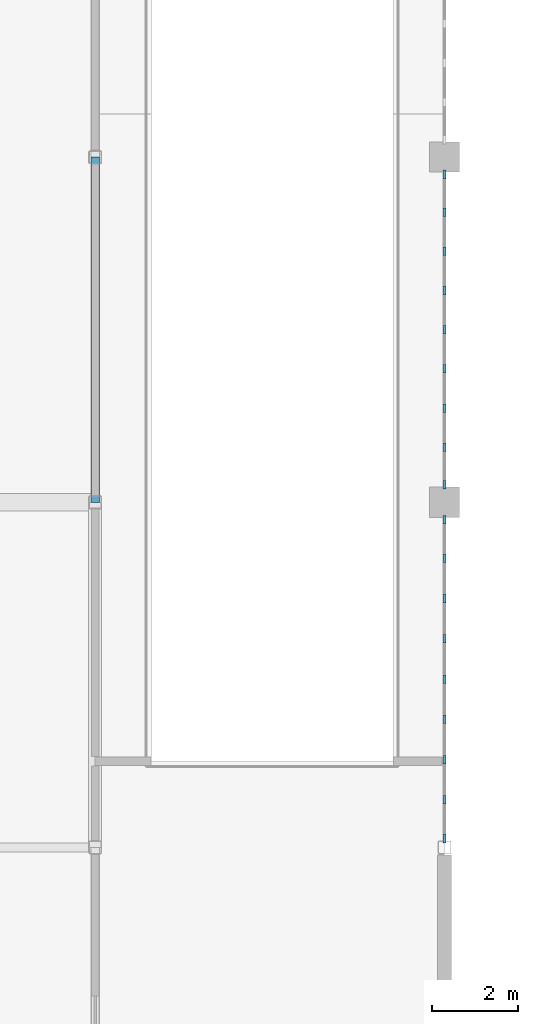
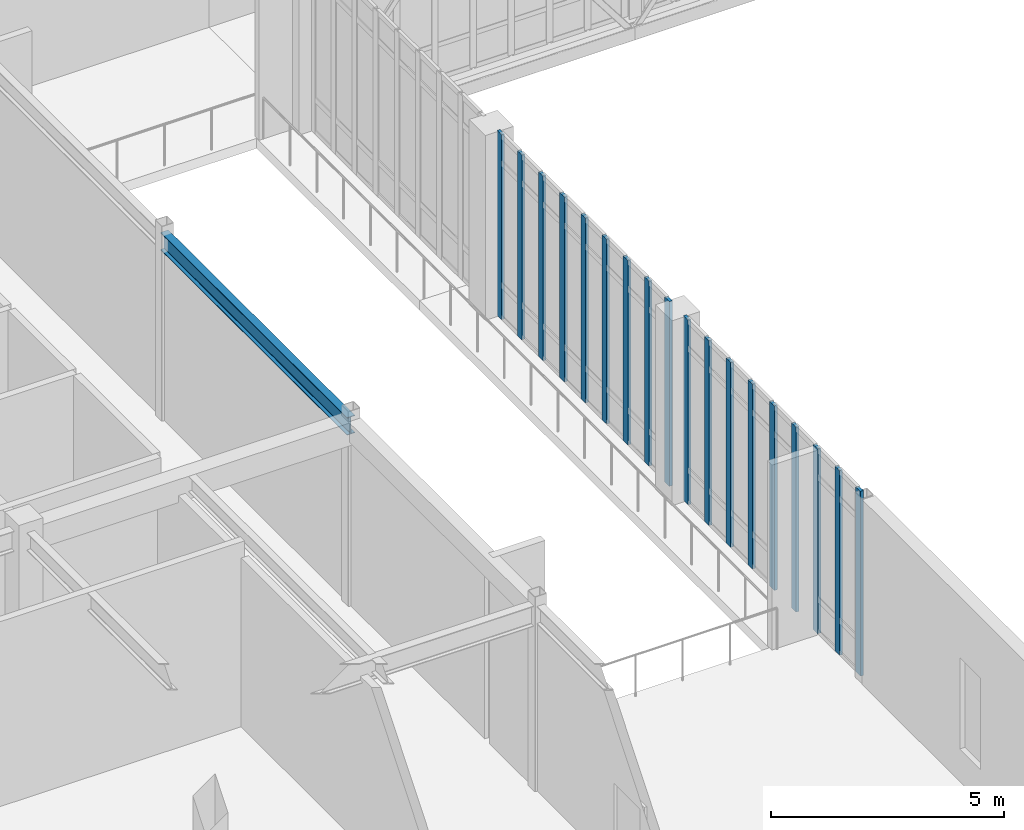
# One storey, part 23 of 107: 18 members, 1 beam, 2 elements without a shape of their own.
"""IFC4 building model written with IfcOpenShell, lengths in metres."""

import ifcopenshell
import ifcopenshell.guid

model = None  # the IFC model being written
_history = None  # IfcOwnerHistory: only IFC2X3 demands one
_inside = {}  # id of a spatial element -> (the spatial element, [elements in it])
_under = {}  # id of a project, library or spatial element -> (it, [spatial elements below it])
_declared = {}  # id of a project -> (the project, [libraries it declares])
_typed = {}  # id of a type object -> (the type object, [elements of that type])
_made_of = {}  # id of a material, layer set ... -> (it, [elements and type objects made of it])


def new_model(schema):
    """Start an empty IFC model of exactly this schema.

    Asked for "IFC4X3", IfcOpenShell would pick the latest addendum, in which some entities
    have other attributes; the version numbers below select the first issue.
    IFC2X3 requires an IfcOwnerHistory on every rooted entity: one is made here for all.
    """
    global model, _history
    if schema == "IFC4X3":
        model = ifcopenshell.file(schema_version=(4, 3, 0, 0))
    else:
        model = ifcopenshell.file(schema=schema)
    _inside.clear()
    _under.clear()
    _declared.clear()
    _typed.clear()
    _made_of.clear()
    _history = None
    if model.schema == "IFC2X3":
        org = make("IfcOrganization", Name="unknown")
        user = make(
            "IfcPersonAndOrganization",
            ThePerson=make("IfcPerson", FamilyName="unknown"),
            TheOrganization=org,
        )
        app = make(
            "IfcApplication",
            ApplicationDeveloper=org,
            Version="unknown",
            ApplicationFullName="unknown",
            ApplicationIdentifier="unknown",
        )
        _history = make(
            "IfcOwnerHistory",
            OwningUser=user,
            OwningApplication=app,
            ChangeAction="ADDED",
            CreationDate=0,
        )
    return model


def make(cls, **values):
    """One entity of the class cls with the attributes given. An attribute that is None is left unset."""
    return model.create_entity(
        cls, **{name: value for name, value in values.items() if value is not None}
    )


def rooted(cls, **values):
    """An entity with a GlobalId (a new one), such as an element, a storey or a relation."""
    return make(cls, GlobalId=ifcopenshell.guid.new(), OwnerHistory=_history, **values)


def si_unit(unit_type, name, prefix=None):
    """IfcSIUnit, for example si_unit("LENGTHUNIT", "METRE", prefix="MILLI")."""
    return make("IfcSIUnit", UnitType=unit_type, Prefix=prefix, Name=name)


def assignment(units):
    """IfcUnitAssignment: the units of a project."""
    return None if units is None else make("IfcUnitAssignment", Units=units)


def point(xyz):
    """IfcCartesianPoint."""
    return None if xyz is None else make("IfcCartesianPoint", Coordinates=xyz)


def direction(xyz):
    """IfcDirection."""
    return None if xyz is None else make("IfcDirection", DirectionRatios=xyz)


def frame(location, z_axis=None, x_axis=None):
    """IfcAxis2Placement3D, a coordinate frame: its origin and axes. An axis left out is left unset."""
    return make(
        "IfcAxis2Placement3D",
        Location=point(location),
        Axis=direction(z_axis),
        RefDirection=direction(x_axis),
    )


def frame_2d(location, x_axis=None):
    """IfcAxis2Placement2D, a coordinate frame in the plane: its origin and x axis."""
    return make(
        "IfcAxis2Placement2D", Location=point(location), RefDirection=direction(x_axis)
    )


def origin():
    """The frame at (0, 0, 0) with its axes left unset."""
    return frame((0.0, 0.0, 0.0))


def origin_2d():
    """The frame at (0, 0) in the plane with its x axis left unset."""
    return frame_2d((0.0, 0.0))


def place(relative_to, where):
    """IfcLocalPlacement: puts the frame where relative to a parent placement (None: the world)."""
    return make(
        "IfcLocalPlacement", PlacementRelTo=relative_to, RelativePlacement=where
    )


def context(
    kind, dimensions, precision=None, world=None, true_north=None, identifier=None
):
    """IfcGeometricRepresentationContext, for example the 3D "Model" context."""
    return make(
        "IfcGeometricRepresentationContext",
        ContextIdentifier=identifier,
        ContextType=kind,
        CoordinateSpaceDimension=dimensions,
        Precision=precision,
        WorldCoordinateSystem=world,
        TrueNorth=true_north,
    )


def subcontext(parent, identifier, kind, view, scale=None):
    """IfcGeometricRepresentationSubContext, for example "Body" below "Model"."""
    return make(
        "IfcGeometricRepresentationSubContext",
        ContextIdentifier=identifier,
        ContextType=kind,
        ParentContext=parent,
        TargetScale=scale,
        TargetView=view,
    )


def project(units=None, contexts=None):
    """IfcProject with its units and contexts."""
    return rooted(
        "IfcProject",
        Name="project",
        RepresentationContexts=contexts,
        UnitsInContext=assignment(units),
    )


def spatial(cls, under=None, at=None, **own):
    """A site, building, storey or space (cls), placed at a placement, below another one or the project."""
    s = rooted(cls, ObjectPlacement=at, **own)
    if under is not None:
        _under.setdefault(under.id(), (under, []))[1].append(s)
    return s


def profile(cls, at=None, kind="AREA", **sizes):
    """A parametric profile (cls). Its sizes go by their IFC names, for example OverallWidth=200.0."""
    return make(cls, ProfileType=kind, Position=at, **sizes)


def rectangle(**sizes):
    """IfcRectangleProfileDef."""
    return profile("IfcRectangleProfileDef", **sizes)


def i_section(**sizes):
    """IfcIShapeProfileDef."""
    return profile("IfcIShapeProfileDef", **sizes)


def extrude(swept, where, along, depth):
    """IfcExtrudedAreaSolid: the profile swept, set in the frame where, extruded along a direction by depth."""
    return make(
        "IfcExtrudedAreaSolid",
        SweptArea=swept,
        Position=where,
        ExtrudedDirection=direction(along),
        Depth=depth,
    )


def shape(context_of_items, identifier, shape_type, items):
    """IfcShapeRepresentation: the items that make up one representation, for example the "Body"."""
    return make(
        "IfcShapeRepresentation",
        ContextOfItems=context_of_items,
        RepresentationIdentifier=identifier,
        RepresentationType=shape_type,
        Items=items,
    )


def material(Name=None, Category=None):
    """IfcMaterial."""
    return make("IfcMaterial", Name=Name, Category=Category)


def material_profile(
    of_material, cross_section, Name=None, Category=None, Priority=None
):
    """IfcMaterialProfile: a cross section and its material."""
    return make(
        "IfcMaterialProfile",
        Name=Name,
        Material=of_material,
        Profile=cross_section,
        Priority=Priority,
        Category=Category,
    )


def profile_set(profiles, Name=None, composite=None):
    """IfcMaterialProfileSet."""
    return make(
        "IfcMaterialProfileSet",
        Name=Name,
        MaterialProfiles=profiles,
        CompositeProfile=composite,
    )


def made_of(thing, what):
    """Note that an element or type object is made of a material, layer set ...; save() writes the relation."""
    if what is not None:
        _made_of.setdefault(what.id(), (what, []))[1].append(thing)
    return thing


def type_object(cls, material=None, **own):
    """A type object (cls), such as IfcWallType, which elements share."""
    return made_of(rooted(cls, **own), material)


def element(
    cls,
    number,
    at=None,
    inside=None,
    cuts=None,
    type_object=None,
    material=None,
    context=None,
    identifier="Body",
    shape_type=None,
    held_by="IfcProductDefinitionShape",
    body=None,
    shapes=None,
    **own,
):
    """One element of the class cls, such as IfcWall. Its Tag is "e" and its number.

    at: its placement. inside: the storey or other place that contains it. cuts: it is an
    opening in that element (IfcRelVoidsElement). A single representation is given by context,
    identifier, shape_type and body (its items); several are given by shapes. held_by: the class
    of the entity that holds the representations. save() writes the other relations.
    """
    e = rooted(cls, Tag="e%d" % number, ObjectPlacement=at, **own)
    if body is not None:
        shapes = [shape(context, identifier, shape_type, body)]
    if shapes is not None:
        e.Representation = make(held_by, Representations=shapes)
    if inside is not None:
        _inside.setdefault(inside.id(), (inside, []))[1].append(e)
    if cuts is not None:
        rooted(
            "IfcRelVoidsElement", RelatingBuildingElement=cuts, RelatedOpeningElement=e
        )
    if type_object is not None:
        _typed.setdefault(type_object.id(), (type_object, []))[1].append(e)
    return made_of(e, material)


def aggregate(whole, parts):
    """IfcRelAggregates: a whole, such as a stair, and the parts it consists of."""
    return rooted("IfcRelAggregates", RelatingObject=whole, RelatedObjects=parts)


def save(model, path):
    """Write the relations noted so far, then the file.

    IfcRelAggregates (storeys below a building ...), IfcRelContainedInSpatialStructure (elements
    in a storey), IfcRelDefinesByType, IfcRelAssociatesMaterial and IfcRelDeclares: one each for
    every whole, place, type object, material and project.
    """
    for whole, parts in _under.values():
        aggregate(whole, parts)
    for where, things in _inside.values():
        rooted(
            "IfcRelContainedInSpatialStructure",
            RelatedElements=things,
            RelatingStructure=where,
        )
    for kind, things in _typed.values():
        rooted("IfcRelDefinesByType", RelatedObjects=things, RelatingType=kind)
    for what, things in _made_of.values():
        rooted("IfcRelAssociatesMaterial", RelatedObjects=things, RelatingMaterial=what)
    for by, libraries in _declared.values():
        rooted("IfcRelDeclares", RelatingContext=by, RelatedDefinitions=libraries)
    model.write(path)


model = new_model("IFC4")

# Units and contexts
model_context = context("Model", 3, precision=1e-05, world=origin(), true_north=direction((0.0, 1.0)))
body_context = subcontext(model_context, "Body", "Model", "MODEL_VIEW")
ifc_project = project(units=[si_unit("LENGTHUNIT", "METRE"), si_unit("AREAUNIT", "SQUARE_METRE"), si_unit("VOLUMEUNIT", "CUBIC_METRE"), si_unit("PLANEANGLEUNIT", "RADIAN"), si_unit("MASSUNIT", "GRAM", prefix="KILO")], contexts=[model_context])

# Site, building, storey
site_placement = place(None, origin())
site = spatial("IfcSite", under=ifc_project, at=site_placement, CompositionType="ELEMENT")
building_placement = place(site_placement, origin())
building = spatial("IfcBuilding", under=site, at=building_placement, Name="Tarnveldt Square Police Headquarters", CompositionType="ELEMENT")
storey_placement = place(building_placement, frame((0.0, 0.0, 14.699951171875)))
storey = spatial("IfcBuildingStorey", under=building, at=storey_placement, Name="L03", CompositionType="ELEMENT", Elevation=14.699951171875)

# Beam
ifc_material_1 = material(Name="Steel 350W", Category="steel")
ifc_material_profile_1 = material_profile(ifc_material_1, i_section(OverallWidth=0.19189453125, OverallDepth=0.462890625, WebThickness=0.010498046875, FlangeThickness=0.017578125, FilletRadius=0.01806640625, at=origin_2d()), Name="W460x89")
ifc_profile_set_1 = profile_set([ifc_material_profile_1], Name="Steel 350W")
beam_type = type_object("IfcBeamType", Name="BM-W460x89", PredefinedType="BEAM", material=ifc_profile_set_1)
beam_placement = place(storey_placement, frame((40.5, 56.0, 4.608642578125), z_axis=(0.0, 1.0, 0.0), x_axis=(-1.0, 0.0, 0.0)))
element("IfcBeam", 1, at=beam_placement, inside=storey, type_object=beam_type, Name="L04 Grid Girder Y-0887", PredefinedType="BEAM", context=body_context, shape_type="SweptSolid", body=[
    extrude(i_section(OverallWidth=0.19189453125, OverallDepth=0.462890625, WebThickness=0.010498046875, FlangeThickness=0.017578125, FilletRadius=0.01806640625, at=origin_2d()), origin(), (0.0, 0.0, 1.0), 8.0),
])

# Curtain wall, members
ifc_material_2 = material(Name="Triple-glazed low-e laminated vision glass", Category="glass")
curtain_wall_type_1 = type_object("IfcCurtainWallType", Name="CW-WG-747x484", PredefinedType="USERDEFINED", material=ifc_material_2)
curtain_wall_1_placement = place(storey_placement, origin())
curtain_wall_1 = element("IfcCurtainWall", 2, at=curtain_wall_1_placement, inside=storey, type_object=curtain_wall_type_1, Name="L03 Curtain Wall CW-L03-078", ObjectType="GLAZED CURTAIN WALL", PredefinedType="USERDEFINED")
ifc_material_3 = material(Name="Thermally broken anodised aluminium 6063-T6", Category="aluminium")
ifc_material_profile_2 = material_profile(ifc_material_3, rectangle(XDim=0.074951171875, YDim=0.199951171875, at=origin_2d()), Name="CW-M75x200")
ifc_profile_set_2 = profile_set([ifc_material_profile_2], Name="Thermally broken anodised aluminium 6063-T6")
member_type = type_object("IfcMemberType", Name="CWM-75x200", PredefinedType="MULLION", material=ifc_profile_set_2)
member_1_placement = place(storey_placement, frame((48.60009765625, 48.204833984375, 0.0), z_axis=(0.0, 0.0, 1.0), x_axis=(-1.0, 0.0, 0.0)))
member_1 = element("IfcMember", 3, at=member_1_placement, type_object=member_type, Name="CW-WG38 mullion 1", PredefinedType="MULLION", context=body_context, shape_type="SweptSolid", body=[
    extrude(rectangle(XDim=0.074951171875, YDim=0.199951171875, at=origin_2d()), origin(), (0.0, 0.0, 1.0), 4.840087890625),
])
member_2_placement = place(storey_placement, frame((48.60009765625, 49.100830078125, 0.0), z_axis=(0.0, 0.0, 1.0), x_axis=(-1.0, 0.0, 0.0)))
member_2 = element("IfcMember", 4, at=member_2_placement, type_object=member_type, Name="CW-WG38 mullion 2", PredefinedType="MULLION", context=body_context, shape_type="SweptSolid", body=[
    extrude(rectangle(XDim=0.074951171875, YDim=0.199951171875, at=origin_2d()), origin(), (0.0, 0.0, 1.0), 4.840087890625),
])
member_3_placement = place(storey_placement, frame((48.60009765625, 50.0341796875, 0.0), z_axis=(0.0, 0.0, 1.0), x_axis=(-1.0, 0.0, 0.0)))
member_3 = element("IfcMember", 5, at=member_3_placement, type_object=member_type, Name="CW-WG38 mullion 3", PredefinedType="MULLION", context=body_context, shape_type="SweptSolid", body=[
    extrude(rectangle(XDim=0.074951171875, YDim=0.199951171875, at=origin_2d()), origin(), (0.0, 0.0, 1.0), 4.840087890625),
])
member_4_placement = place(storey_placement, frame((48.60009765625, 50.9677734375, 0.0), z_axis=(0.0, 0.0, 1.0), x_axis=(-1.0, 0.0, 0.0)))
member_4 = element("IfcMember", 6, at=member_4_placement, type_object=member_type, Name="CW-WG38 mullion 4", PredefinedType="MULLION", context=body_context, shape_type="SweptSolid", body=[
    extrude(rectangle(XDim=0.074951171875, YDim=0.199951171875, at=origin_2d()), origin(), (0.0, 0.0, 1.0), 4.840087890625),
])
member_5_placement = place(storey_placement, frame((48.60009765625, 51.901123046875, 0.0), z_axis=(0.0, 0.0, 1.0), x_axis=(-1.0, 0.0, 0.0)))
member_5 = element("IfcMember", 7, at=member_5_placement, type_object=member_type, Name="CW-WG38 mullion 5", PredefinedType="MULLION", context=body_context, shape_type="SweptSolid", body=[
    extrude(rectangle(XDim=0.074951171875, YDim=0.199951171875, at=origin_2d()), origin(), (0.0, 0.0, 1.0), 4.840087890625),
])
member_6_placement = place(storey_placement, frame((48.60009765625, 52.834716796875, 0.0), z_axis=(0.0, 0.0, 1.0), x_axis=(-1.0, 0.0, 0.0)))
member_6 = element("IfcMember", 8, at=member_6_placement, type_object=member_type, Name="CW-WG38 mullion 6", PredefinedType="MULLION", context=body_context, shape_type="SweptSolid", body=[
    extrude(rectangle(XDim=0.074951171875, YDim=0.199951171875, at=origin_2d()), origin(), (0.0, 0.0, 1.0), 4.840087890625),
])
member_7_placement = place(storey_placement, frame((48.60009765625, 53.76806640625, 0.0), z_axis=(0.0, 0.0, 1.0), x_axis=(-1.0, 0.0, 0.0)))
member_7 = element("IfcMember", 9, at=member_7_placement, type_object=member_type, Name="CW-WG38 mullion 7", PredefinedType="MULLION", context=body_context, shape_type="SweptSolid", body=[
    extrude(rectangle(XDim=0.074951171875, YDim=0.199951171875, at=origin_2d()), origin(), (0.0, 0.0, 1.0), 4.840087890625),
])
member_8_placement = place(storey_placement, frame((48.60009765625, 54.70166015625, 0.0), z_axis=(0.0, 0.0, 1.0), x_axis=(-1.0, 0.0, 0.0)))
member_8 = element("IfcMember", 10, at=member_8_placement, type_object=member_type, Name="CW-WG38 mullion 8", PredefinedType="MULLION", context=body_context, shape_type="SweptSolid", body=[
    extrude(rectangle(XDim=0.074951171875, YDim=0.199951171875, at=origin_2d()), origin(), (0.0, 0.0, 1.0), 4.840087890625),
])
member_9_placement = place(storey_placement, frame((48.60009765625, 55.597412109375, 0.0), z_axis=(0.0, 0.0, 1.0), x_axis=(-1.0, 0.0, 0.0)))
member_9 = element("IfcMember", 11, at=member_9_placement, type_object=member_type, Name="CW-WG38 mullion 9", PredefinedType="MULLION", context=body_context, shape_type="SweptSolid", body=[
    extrude(rectangle(XDim=0.074951171875, YDim=0.199951171875, at=origin_2d()), origin(), (0.0, 0.0, 1.0), 4.840087890625),
])
aggregate(curtain_wall_1, [member_1, member_2, member_3, member_4, member_5, member_6, member_7, member_8, member_9])

curtain_wall_type_2 = type_object("IfcCurtainWallType", Name="CW-WG-727x484", PredefinedType="USERDEFINED", material=ifc_material_2)
curtain_wall_2_placement = place(storey_placement, origin())
curtain_wall_2 = element("IfcCurtainWall", 12, at=curtain_wall_2_placement, inside=storey, type_object=curtain_wall_type_2, Name="L03 Curtain Wall CW-L03-079", ObjectType="GLAZED CURTAIN WALL", PredefinedType="USERDEFINED")
member_10_placement = place(storey_placement, frame((48.60009765625, 56.402587890625, 0.0), z_axis=(0.0, 0.0, 1.0), x_axis=(-1.0, 0.0, 0.0)))
member_10 = element("IfcMember", 13, at=member_10_placement, type_object=member_type, Name="CW-WG39 mullion 1", PredefinedType="MULLION", context=body_context, shape_type="SweptSolid", body=[
    extrude(rectangle(XDim=0.074951171875, YDim=0.199951171875, at=origin_2d()), origin(), (0.0, 0.0, 1.0), 4.840087890625),
])
member_11_placement = place(storey_placement, frame((48.60009765625, 57.273681640625, 0.0), z_axis=(0.0, 0.0, 1.0), x_axis=(-1.0, 0.0, 0.0)))
member_11 = element("IfcMember", 14, at=member_11_placement, type_object=member_type, Name="CW-WG39 mullion 2", PredefinedType="MULLION", context=body_context, shape_type="SweptSolid", body=[
    extrude(rectangle(XDim=0.074951171875, YDim=0.199951171875, at=origin_2d()), origin(), (0.0, 0.0, 1.0), 4.840087890625),
])
member_12_placement = place(storey_placement, frame((48.60009765625, 58.1826171875, 0.0), z_axis=(0.0, 0.0, 1.0), x_axis=(-1.0, 0.0, 0.0)))
member_12 = element("IfcMember", 15, at=member_12_placement, type_object=member_type, Name="CW-WG39 mullion 3", PredefinedType="MULLION", context=body_context, shape_type="SweptSolid", body=[
    extrude(rectangle(XDim=0.074951171875, YDim=0.199951171875, at=origin_2d()), origin(), (0.0, 0.0, 1.0), 4.840087890625),
])
member_13_placement = place(storey_placement, frame((48.60009765625, 59.09130859375, 0.0), z_axis=(0.0, 0.0, 1.0), x_axis=(-1.0, 0.0, 0.0)))
member_13 = element("IfcMember", 16, at=member_13_placement, type_object=member_type, Name="CW-WG39 mullion 4", PredefinedType="MULLION", context=body_context, shape_type="SweptSolid", body=[
    extrude(rectangle(XDim=0.074951171875, YDim=0.199951171875, at=origin_2d()), origin(), (0.0, 0.0, 1.0), 4.840087890625),
])
member_14_placement = place(storey_placement, frame((48.60009765625, 60.0, 0.0), z_axis=(0.0, 0.0, 1.0), x_axis=(-1.0, 0.0, 0.0)))
member_14 = element("IfcMember", 17, at=member_14_placement, type_object=member_type, Name="CW-WG39 mullion 5", PredefinedType="MULLION", context=body_context, shape_type="SweptSolid", body=[
    extrude(rectangle(XDim=0.074951171875, YDim=0.199951171875, at=origin_2d()), origin(), (0.0, 0.0, 1.0), 4.840087890625),
])
member_15_placement = place(storey_placement, frame((48.60009765625, 60.90869140625, 0.0), z_axis=(0.0, 0.0, 1.0), x_axis=(-1.0, 0.0, 0.0)))
member_15 = element("IfcMember", 18, at=member_15_placement, type_object=member_type, Name="CW-WG39 mullion 6", PredefinedType="MULLION", context=body_context, shape_type="SweptSolid", body=[
    extrude(rectangle(XDim=0.074951171875, YDim=0.199951171875, at=origin_2d()), origin(), (0.0, 0.0, 1.0), 4.840087890625),
])
member_16_placement = place(storey_placement, frame((48.60009765625, 61.8173828125, 0.0), z_axis=(0.0, 0.0, 1.0), x_axis=(-1.0, 0.0, 0.0)))
member_16 = element("IfcMember", 19, at=member_16_placement, type_object=member_type, Name="CW-WG39 mullion 7", PredefinedType="MULLION", context=body_context, shape_type="SweptSolid", body=[
    extrude(rectangle(XDim=0.074951171875, YDim=0.199951171875, at=origin_2d()), origin(), (0.0, 0.0, 1.0), 4.840087890625),
])
member_17_placement = place(storey_placement, frame((48.60009765625, 62.726318359375, 0.0), z_axis=(0.0, 0.0, 1.0), x_axis=(-1.0, 0.0, 0.0)))
member_17 = element("IfcMember", 20, at=member_17_placement, type_object=member_type, Name="CW-WG39 mullion 8", PredefinedType="MULLION", context=body_context, shape_type="SweptSolid", body=[
    extrude(rectangle(XDim=0.074951171875, YDim=0.199951171875, at=origin_2d()), origin(), (0.0, 0.0, 1.0), 4.840087890625),
])
member_18_placement = place(storey_placement, frame((48.60009765625, 63.597412109375, 0.0), z_axis=(0.0, 0.0, 1.0), x_axis=(-1.0, 0.0, 0.0)))
member_18 = element("IfcMember", 21, at=member_18_placement, type_object=member_type, Name="CW-WG39 mullion 9", PredefinedType="MULLION", context=body_context, shape_type="SweptSolid", body=[
    extrude(rectangle(XDim=0.074951171875, YDim=0.199951171875, at=origin_2d()), origin(), (0.0, 0.0, 1.0), 4.840087890625),
])
aggregate(curtain_wall_2, [member_10, member_11, member_12, member_13, member_14, member_15, member_16, member_17, member_18])

save(model, "model.ifc")
